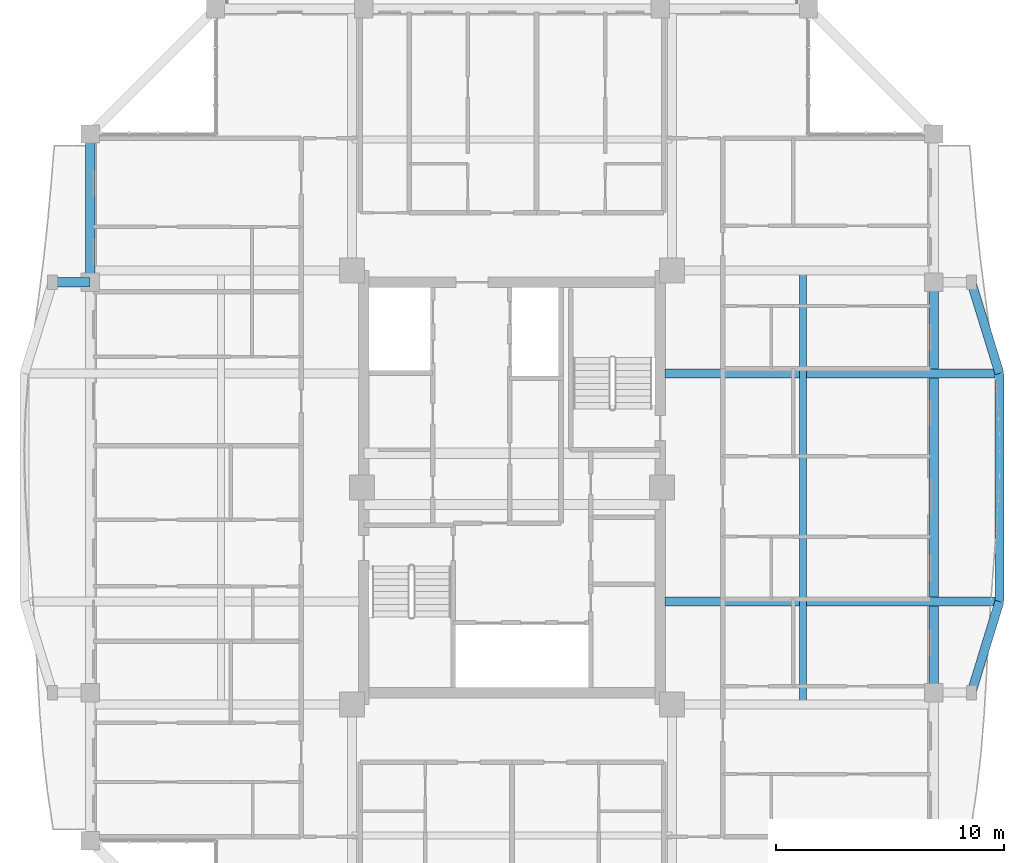
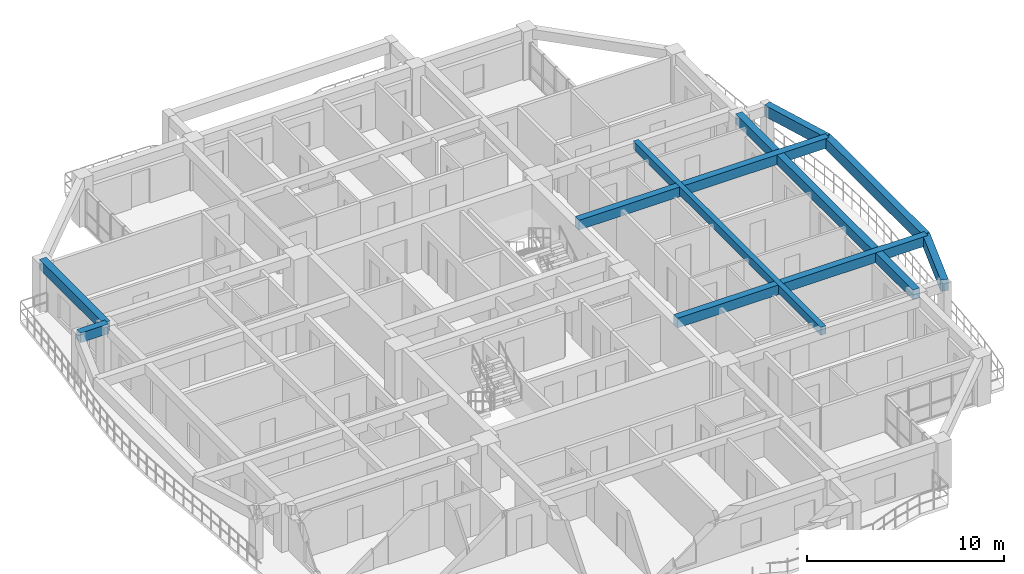
# One storey, part 5 of 22: 9 beams.
"""IFC4 building model written with IfcOpenShell, lengths in metres."""

from ifc_helpers import new_model, si_unit, direction, frame, origin, origin_2d, place, context, subcontext, project, spatial, rectangle, extrude, source, transform, mapped, material, material_profile, profile_set, type_object, element, save


model = new_model("IFC4")

# Units and contexts
model_context = context("Model", 3, precision=1e-05, world=origin(), true_north=direction((0.0, 1.0)))
body_context = subcontext(model_context, "Body", "Model", "MODEL_VIEW")
ifc_project = project(units=[si_unit("LENGTHUNIT", "METRE"), si_unit("AREAUNIT", "SQUARE_METRE"), si_unit("VOLUMEUNIT", "CUBIC_METRE"), si_unit("PLANEANGLEUNIT", "RADIAN"), si_unit("MASSUNIT", "GRAM", prefix="KILO")], contexts=[model_context])

# Site, building, storey
site_placement = place(None, origin())
site = spatial("IfcSite", under=ifc_project, at=site_placement, CompositionType="ELEMENT")
building_placement = place(site_placement, origin())
building = spatial("IfcBuilding", under=site, at=building_placement, Name="Saelheon Loggia Tower", CompositionType="ELEMENT")
storey_placement = place(building_placement, frame((0.0, 0.0, 196.60009765625)))
storey = spatial("IfcBuildingStorey", under=building, at=storey_placement, Name="L61", CompositionType="ELEMENT", Elevation=196.60009765625)

# Beams
ifc_material_1 = material(Name="Concrete C40/50", Category="concrete")
ifc_material_profile_1 = material_profile(ifc_material_1, rectangle(XDim=0.300048828125, YDim=0.5, at=origin_2d()), Name="RC-300x500")
ifc_profile_set_1 = profile_set([ifc_material_profile_1], Name="Concrete C40/50")
beam_type_1 = type_object("IfcBeamType", Name="Beam_Joist_RC300x500", PredefinedType="JOIST", material=ifc_profile_set_1)
shared_shape_1 = source(origin(), body_context, "Body", "SweptSolid", [
    extrude(rectangle(XDim=0.300048828125, YDim=0.5, at=origin_2d()), origin(), (0.0, 0.0, 1.0), 19.0400390625),
])
beam_1_placement = place(storey_placement, frame((50.760009765625, 17.47998046875, 2.75), z_axis=(0.0, 1.0, 0.0), x_axis=(-1.0, 0.0, 0.0)))
element("IfcBeam", 1, at=beam_1_placement, inside=storey, type_object=beam_type_1, Name="L61 East Floor Joist", PredefinedType="JOIST", context=body_context, shape_type="MappedRepresentation", body=[
    mapped(shared_shape_1, transform((0.0, 0.0, 0.0), scale=1.0)),
])
ifc_material_2 = material(Name="Precast Concrete C45/55", Category="concrete")
ifc_material_profile_2 = material_profile(ifc_material_2, rectangle(XDim=0.39990234375, YDim=0.60009765625, at=origin_2d()), Name="RC-400x600")
ifc_profile_set_2 = profile_set([ifc_material_profile_2], Name="Precast Concrete C45/55")
beam_type_2 = type_object("IfcBeamType", Name="Beam_LoggiaTie_RC400x600", PredefinedType="BEAM", material=ifc_profile_set_2)
shared_shape_2 = source(origin(), body_context, "Body", "SweptSolid", [
    extrude(rectangle(XDim=0.39990234375, YDim=0.60009765625, at=origin_2d()), origin(), (0.0, 0.0, 1.0), 1.64990234375),
])
beam_2_placement = place(storey_placement, frame((19.5, 36.0, 2.699951171875), z_axis=(-1.0, 0.0, 0.0), x_axis=(0.0, -1.0, 0.0)))
element("IfcBeam", 2, at=beam_2_placement, inside=storey, type_object=beam_type_2, Name="L61 Loggia Frame Tie Beam LP-W2", PredefinedType="BEAM", context=body_context, shape_type="MappedRepresentation", body=[
    mapped(shared_shape_2, transform((0.0, 0.0, 0.0), scale=1.0)),
])
ifc_material_profile_3 = material_profile(ifc_material_2, rectangle(XDim=0.39990234375, YDim=0.699951171875, at=origin_2d()), Name="RC-400x700")
ifc_profile_set_3 = profile_set([ifc_material_profile_3], Name="Precast Concrete C45/55")
beam_type_3 = type_object("IfcBeamType", Name="Beam_LoggiaSpandrel_RC400x700", PredefinedType="SPANDREL", material=ifc_profile_set_3)
shared_shape_3 = source(origin(), body_context, "Body", "SweptSolid", [
    extrude(rectangle(XDim=0.39990234375, YDim=0.699951171875, at=origin_2d()), origin(), (0.0, 0.0, 1.0), 4.184814453125),
])
for number, where, z_axis, x_axis, name in (
    (3, (58.14990234375, 18.0, 2.64990234375), (0.293913664135, 0.955831971653, 0.0), (-0.955831971653, 0.293913664135, 0.0), "L61 Curved Loggia Spandrel E 1"),
    (4, (59.3798828125, 32.0, 2.64990234375), (-0.293913664135, 0.955831971653, 0.0), (-0.955831971653, -0.293913664135, 0.0), "L61 Curved Loggia Spandrel E 3"),
):
    element("IfcBeam", number, at=place(storey_placement, frame(where, z_axis=z_axis, x_axis=x_axis)), inside=storey, type_object=beam_type_3, Name=name, PredefinedType="SPANDREL", context=body_context, shape_type="MappedRepresentation", body=[
        mapped(shared_shape_3, transform((0.0, 0.0, 0.0), scale=1.0)),
    ])
shared_shape_4 = source(origin(), body_context, "Body", "SweptSolid", [
    extrude(rectangle(XDim=0.39990234375, YDim=0.699951171875, at=origin_2d()), origin(), (0.0, 0.0, 1.0), 10.0),
])
beam_3_placement = place(storey_placement, frame((59.3798828125, 22.0, 2.64990234375), z_axis=(0.0, 1.0, 0.0), x_axis=(-1.0, 0.0, 0.0)))
element("IfcBeam", 5, at=beam_3_placement, inside=storey, type_object=beam_type_3, Name="L61 Curved Loggia Spandrel E 2", PredefinedType="SPANDREL", context=body_context, shape_type="MappedRepresentation", body=[
    mapped(shared_shape_4, transform((0.0, 0.0, 0.0), scale=1.0)),
])
ifc_material_profile_4 = material_profile(ifc_material_1, rectangle(XDim=0.39990234375, YDim=0.60009765625, at=origin_2d()), Name="RC-400x600")
ifc_profile_set_4 = profile_set([ifc_material_profile_4], Name="Concrete C40/50")
beam_type_4 = type_object("IfcBeamType", Name="Beam_PerimUpper_RC400x600", PredefinedType="BEAM", material=ifc_profile_set_4)
shared_shape_5 = source(origin(), body_context, "Body", "SweptSolid", [
    extrude(rectangle(XDim=0.39990234375, YDim=0.60009765625, at=origin_2d()), origin(), (0.0, 0.0, 1.0), 18.0),
])
beam_4_placement = place(storey_placement, frame((56.5, 18.0, 2.699951171875), z_axis=(0.0, 1.0, 0.0), x_axis=(-1.0, 0.0, 0.0)))
element("IfcBeam", 6, at=beam_4_placement, inside=storey, type_object=beam_type_4, Name="L61 Perimeter Frame Girder 06", PredefinedType="BEAM", context=body_context, shape_type="MappedRepresentation", body=[
    mapped(shared_shape_5, transform((0.0, 0.0, 0.0), scale=1.0)),
])
shared_shape_6 = source(origin(), body_context, "Body", "SweptSolid", [
    extrude(rectangle(XDim=0.39990234375, YDim=0.60009765625, at=origin_2d()), origin(), (0.0, 0.0, 1.0), 6.5),
])
beam_5_placement = place(storey_placement, frame((19.5, 42.5, 2.699951171875), z_axis=(0.0, -1.0, 0.0), x_axis=(1.0, 0.0, 0.0)))
element("IfcBeam", 7, at=beam_5_placement, inside=storey, type_object=beam_type_4, Name="L61 Perimeter Frame Girder 13", PredefinedType="BEAM", context=body_context, shape_type="MappedRepresentation", body=[
    mapped(shared_shape_6, transform((0.0, 0.0, 0.0), scale=1.0)),
])
shared_shape_7 = source(origin(), body_context, "Body", "SweptSolid", [
    extrude(rectangle(XDim=0.39990234375, YDim=0.60009765625, at=origin_2d()), origin(), (0.0, 0.0, 1.0), 14.659912109375),
])
for number, where, z_axis, x_axis, name in (
    (8, (44.719970703125, 22.0, 2.699951171875), (1.0, 0.0, 0.0), (0.0, 1.0, 0.0), "L61 Curved Facade Outrigger Beam E 1"),
    (9, (44.719970703125, 32.0, 2.699951171875), (1.0, 0.0, 0.0), (0.0, 1.0, 0.0), "L61 Curved Facade Outrigger Beam E 2"),
):
    element("IfcBeam", number, at=place(storey_placement, frame(where, z_axis=z_axis, x_axis=x_axis)), inside=storey, type_object=beam_type_2, Name=name, PredefinedType="BEAM", context=body_context, shape_type="MappedRepresentation", body=[
        mapped(shared_shape_7, transform((0.0, 0.0, 0.0), scale=1.0)),
    ])

save(model, "model.ifc")
